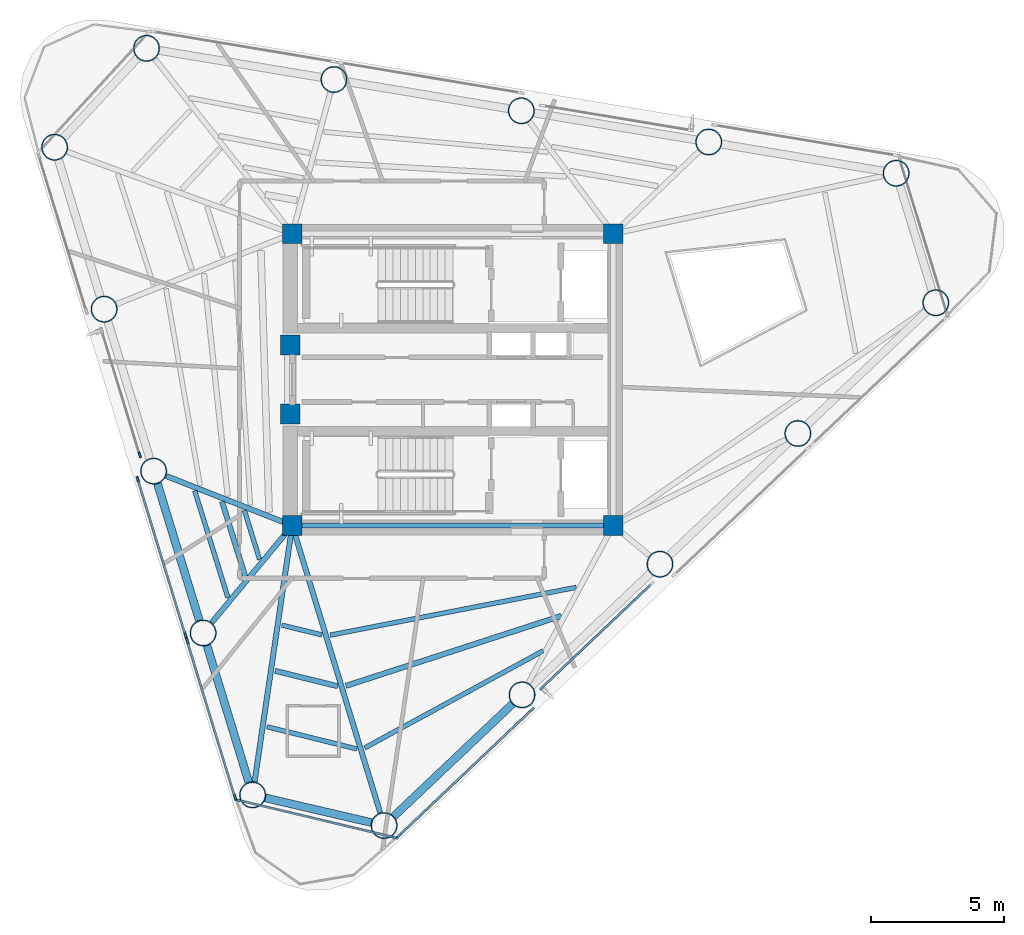
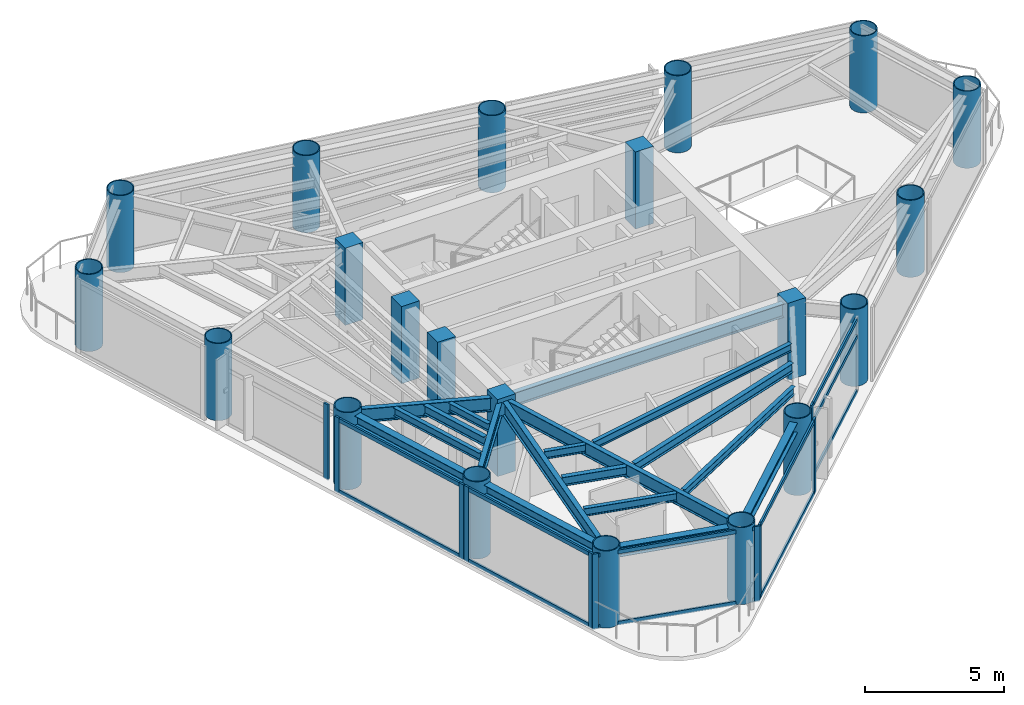
# One storey, part 1 of 8: 21 columns, 21 members, 18 beams, 6 elements without a shape of their own.
"""IFC4 building model written with IfcOpenShell, lengths in metres."""

from ifc_helpers import new_model, si_unit, direction, frame, origin, origin_2d, place, context, subcontext, project, spatial, rectangle, hollow_circle, i_section, extrude, source, transform, mapped, material, layer, layer_set, material_profile, profile_set, type_object, element, aggregate, save


model = new_model("IFC4")

# Units and contexts
model_context = context("Model", 3, precision=1e-05, world=origin(), true_north=direction((0.0, 1.0)))
body_context = subcontext(model_context, "Body", "Model", "MODEL_VIEW")
ifc_project = project(units=[si_unit("LENGTHUNIT", "METRE"), si_unit("AREAUNIT", "SQUARE_METRE"), si_unit("VOLUMEUNIT", "CUBIC_METRE"), si_unit("PLANEANGLEUNIT", "RADIAN"), si_unit("MASSUNIT", "GRAM", prefix="KILO")], contexts=[model_context])

# Site, building, storey
site_placement = place(None, origin())
site = spatial("IfcSite", under=ifc_project, at=site_placement, CompositionType="ELEMENT")
building_placement = place(site_placement, origin())
building = spatial("IfcBuilding", under=site, at=building_placement, Name="Yunling Apex Tower", CompositionType="ELEMENT")
storey_placement = place(building_placement, frame((0.0, 0.0, 235.449951171875)))
storey = spatial("IfcBuildingStorey", under=building, at=storey_placement, Name="L57", CompositionType="ELEMENT", Elevation=235.449951171875)

# Columns
ifc_material_1 = material(Name="Concrete C50", Category="concrete")
ifc_material_profile_1 = material_profile(ifc_material_1, rectangle(XDim=0.75, YDim=0.75, at=origin_2d()))
ifc_profile_set_1 = profile_set([ifc_material_profile_1], Name="Concrete C50")
column_type_1 = type_object("IfcColumnType", Name="PC-SRC-4", PredefinedType="COLUMN", material=ifc_profile_set_1)
shared_shape_1 = source(origin(), body_context, "Body", "SweptSolid", [
    extrude(rectangle(XDim=0.75, YDim=0.75, at=origin_2d()), origin(), (0.0, 0.0, 1.0), 3.400146484375),
])
for number, where, z_axis, x_axis, name in (
    (1, (-6.050048828125, -5.5, 0.0), (0.0, 0.0, 1.0), (1.0, 0.0, 0.0), "L57 Core Spine Column CC-SW"),
    (2, (6.050048828125, -5.5, 0.0), (0.0, 0.0, 1.0), (1.0, 0.0, 0.0), "L57 Core Spine Column CC-SE"),
    (3, (6.050048828125, 5.5, 0.0), (0.0, 0.0, 1.0), (1.0, 0.0, 0.0), "L57 Core Spine Column CC-NE"),
    (4, (-6.050048828125, 5.5, 0.0), (0.0, 0.0, 1.0), (1.0, 0.0, 0.0), "L57 Core Spine Column CC-NW"),
    (5, (-6.125, -1.300048828125, 0.0), (0.0, 0.0, 1.0), (1.0, 0.0, 0.0), "L57 Core West Portal Jamb Column S"),
    (6, (-6.125, 1.300048828125, 0.0), (0.0, 0.0, 1.0), (1.0, 0.0, 0.0), "L57 Core West Portal Jamb Column N"),
):
    element("IfcColumn", number, at=place(storey_placement, frame(where, z_axis=z_axis, x_axis=x_axis)), inside=storey, type_object=column_type_1, Name=name, PredefinedType="COLUMN", context=body_context, shape_type="MappedRepresentation", body=[
        mapped(shared_shape_1, transform((0.0, 0.0, 0.0), scale=1.0)),
    ])
ifc_material_2 = material(Name="Steel Q390GJC", Category="steel")
ifc_material_profile_2 = material_profile(ifc_material_2, hollow_circle(Radius=0.5, WallThickness=0.0400390625, at=origin_2d()))
ifc_profile_set_2 = profile_set([ifc_material_profile_2], Name="Steel Q390GJC")
column_type_2 = type_object("IfcColumnType", Name="MC-CFST-5", PredefinedType="COLUMN", material=ifc_profile_set_2)
shared_shape_2 = source(origin(), body_context, "Body", "SweptSolid", [
    extrude(hollow_circle(Radius=0.5, WallThickness=0.0400390625, at=origin_2d()), origin(), (0.0, 0.0, 1.0), 3.400146484375),
])
for number, where, z_axis, x_axis, name in (
    (7, (-2.58740234375, -16.807861328125, 0.0), (0.0, 0.0, 1.0), (1.0, 0.0, 0.0), "L57 Perimeter CFST Mega-Column P01"),
    (8, (2.61083984375, -11.8818359375, 0.0), (0.0, 0.0, 1.0), (1.0, 0.0, 0.0), "L57 Perimeter CFST Mega-Column P02"),
    (9, (7.80908203125, -6.9560546875, 0.0), (0.0, 0.0, 1.0), (1.0, 0.0, 0.0), "L57 Perimeter CFST Mega-Column P03"),
    (10, (13.007080078125, -2.030029296875, 0.0), (0.0, 0.0, 1.0), (1.0, 0.0, 0.0), "L57 Perimeter CFST Mega-Column P04"),
    (11, (18.205322265625, 2.89599609375, 0.0), (0.0, 0.0, 1.0), (1.0, 0.0, 0.0), "L57 Perimeter CFST Mega-Column P05"),
    (12, (16.712158203125, 7.779296875, 0.0), (0.0, 0.0, 1.0), (1.0, 0.0, 0.0), "L57 Perimeter CFST Mega-Column P06"),
    (13, (9.648193359375, 8.95654296875, 0.0), (0.0, 0.0, 1.0), (1.0, 0.0, 0.0), "L57 Perimeter CFST Mega-Column P07"),
    (14, (2.584228515625, 10.133544921875, 0.0), (0.0, 0.0, 1.0), (1.0, 0.0, 0.0), "L57 Perimeter CFST Mega-Column P08"),
    (15, (-4.479736328125, 11.310546875, 0.0), (0.0, 0.0, 1.0), (1.0, 0.0, 0.0), "L57 Perimeter CFST Mega-Column P09"),
    (16, (-11.543701171875, 12.487548828125, 0.0), (0.0, 0.0, 1.0), (1.0, 0.0, 0.0), "L57 Perimeter CFST Mega-Column P10"),
    (17, (-15.007568359375, 8.7587890625, 0.0), (0.0, 0.0, 1.0), (1.0, 0.0, 0.0), "L57 Perimeter CFST Mega-Column P11"),
    (18, (-13.1416015625, 2.65576171875, 0.0), (0.0, 0.0, 1.0), (1.0, 0.0, 0.0), "L57 Perimeter CFST Mega-Column P12"),
    (19, (-11.27587890625, -3.447509765625, 0.0), (0.0, 0.0, 1.0), (1.0, 0.0, 0.0), "L57 Perimeter CFST Mega-Column P13"),
    (20, (-9.409912109375, -9.55029296875, 0.0), (0.0, 0.0, 1.0), (1.0, 0.0, 0.0), "L57 Perimeter CFST Mega-Column P14"),
    (21, (-7.5439453125, -15.6533203125, 0.0), (0.0, 0.0, 1.0), (1.0, 0.0, 0.0), "L57 Perimeter CFST Mega-Column P15"),
):
    element("IfcColumn", number, at=place(storey_placement, frame(where, z_axis=z_axis, x_axis=x_axis)), inside=storey, type_object=column_type_2, Name=name, PredefinedType="COLUMN", context=body_context, shape_type="MappedRepresentation", body=[
        mapped(shared_shape_2, transform((0.0, 0.0, 0.0), scale=1.0)),
    ])

# Beams
ifc_material_3 = material(Name="Steel Q355B", Category="steel")
ifc_material_profile_3 = material_profile(ifc_material_3, i_section(OverallWidth=0.199951171875, OverallDepth=0.60009765625, WebThickness=0.010986328125, FlangeThickness=0.01708984375, FilletRadius=0.02197265625, at=origin_2d()))
ifc_profile_set_3 = profile_set([ifc_material_profile_3], Name="Steel Q355B")
beam_type_1 = type_object("IfcBeamType", Name="BG-PRI-5", PredefinedType="USERDEFINED", material=ifc_profile_set_3)
shared_shape_3 = source(origin(), body_context, "Body", "SweptSolid", [
    extrude(i_section(OverallWidth=0.199951171875, OverallDepth=0.60009765625, WebThickness=0.010986328125, FlangeThickness=0.01708984375, FilletRadius=0.02197265625, at=origin_2d()), origin(), (0.0, 0.0, 1.0), 11.7998046875),
])
beam_1_placement = place(storey_placement, frame((-5.89990234375, -5.5, 2.920166015625), z_axis=(1.0, 0.0, 0.0), x_axis=(0.0, 1.0, 0.0)))
element("IfcBeam", 22, at=beam_1_placement, inside=storey, type_object=beam_type_1, Name="L57 Core Ring Tie Beam 1", ObjectType="GIRDER", PredefinedType="USERDEFINED", context=body_context, shape_type="MappedRepresentation", body=[
    mapped(shared_shape_3, transform((0.0, 0.0, 0.0), scale=1.0)),
])
ifc_material_profile_4 = material_profile(ifc_material_3, i_section(OverallWidth=0.300048828125, OverallDepth=0.43994140625, WebThickness=0.010986328125, FlangeThickness=0.01806640625, FilletRadius=0.02197265625, at=origin_2d()))
ifc_profile_set_4 = profile_set([ifc_material_profile_4], Name="Steel Q355B")
beam_type_2 = type_object("IfcBeamType", Name="BP-SPN-3", PredefinedType="SPANDREL", material=ifc_profile_set_4)
shared_shape_4 = source(origin(), body_context, "Body", "SweptSolid", [
    extrude(i_section(OverallWidth=0.300048828125, OverallDepth=0.43994140625, WebThickness=0.010986328125, FlangeThickness=0.01806640625, FilletRadius=0.02197265625, at=origin_2d()), origin(), (0.0, 0.0, 1.0), 6.17333984375),
])
beam_2_placement = place(storey_placement, frame((-2.228759765625, -16.468017578125, 3.0), z_axis=(0.725853952128, 0.687848849807, 0.0), x_axis=(-0.687848849807, 0.725853952128, 0.0)))
element("IfcBeam", 23, at=beam_2_placement, inside=storey, type_object=beam_type_2, Name="L57 Perimeter Spandrel Beam 1", PredefinedType="SPANDREL", context=body_context, shape_type="MappedRepresentation", body=[
    mapped(shared_shape_4, transform((0.0, 0.0, 0.0), scale=1.0)),
])
shared_shape_5 = source(origin(), body_context, "Body", "SweptSolid", [
    extrude(i_section(OverallWidth=0.300048828125, OverallDepth=0.43994140625, WebThickness=0.010986328125, FlangeThickness=0.01806640625, FilletRadius=0.02197265625, at=origin_2d()), origin(), (0.0, 0.0, 1.0), 4.1015625),
])
beam_3_placement = place(storey_placement, frame((-7.06298828125, -15.765380859375, 3.0), z_axis=(0.973930702249, -0.226845734401, 0.0), x_axis=(0.226845734401, 0.973930702249, 0.0)))
element("IfcBeam", 24, at=beam_3_placement, inside=storey, type_object=beam_type_2, Name="L57 Perimeter Spandrel Beam 15", PredefinedType="SPANDREL", context=body_context, shape_type="MappedRepresentation", body=[
    mapped(shared_shape_5, transform((0.0, 0.0, 0.0), scale=1.0)),
])
shared_shape_6 = source(origin(), body_context, "Body", "SweptSolid", [
    extrude(i_section(OverallWidth=0.300048828125, OverallDepth=0.43994140625, WebThickness=0.010986328125, FlangeThickness=0.01806640625, FilletRadius=0.02197265625, at=origin_2d()), origin(), (0.0, 0.0, 1.0), 5.393798828125),
])
for number, where, z_axis, x_axis, name in (
    (25, (-11.13134765625, -3.919921875, 3.0), (0.292405975038, -0.956294277805, 0.0), (0.956294277805, 0.292405975038, 0.0), "L57 Perimeter Spandrel Beam 13"),
    (26, (-9.265380859375, -10.022705078125, 3.0), (0.292351925226, -0.956310802938, 0.0), (0.956310802938, 0.292351925226, 0.0), "L57 Perimeter Spandrel Beam 14"),
):
    element("IfcBeam", number, at=place(storey_placement, frame(where, z_axis=z_axis, x_axis=x_axis)), inside=storey, type_object=beam_type_2, Name=name, PredefinedType="SPANDREL", context=body_context, shape_type="MappedRepresentation", body=[
        mapped(shared_shape_6, transform((0.0, 0.0, 0.0), scale=1.0)),
    ])
shared_shape_7 = source(origin(), body_context, "Body", "SweptSolid", [
    extrude(i_section(OverallWidth=0.199951171875, OverallDepth=0.60009765625, WebThickness=0.010986328125, FlangeThickness=0.01708984375, FilletRadius=0.02197265625, at=origin_2d()), origin(), (0.0, 0.0, 1.0), 11.23828125),
])
beam_4_placement = place(storey_placement, frame((-2.736083984375, -16.322265625, 2.920166015625), z_axis=(-0.292794126511, 0.956175506631, 0.0), x_axis=(-0.956175506631, -0.292794126511, 0.0)))
element("IfcBeam", 27, at=beam_4_placement, inside=storey, type_object=beam_type_1, Name="L57 Radial Primary Girder R01", ObjectType="GIRDER", PredefinedType="USERDEFINED", context=body_context, shape_type="MappedRepresentation", body=[
    mapped(shared_shape_7, transform((0.0, 0.0, 0.0), scale=1.0)),
])
shared_shape_8 = source(origin(), body_context, "Body", "SweptSolid", [
    extrude(i_section(OverallWidth=0.199951171875, OverallDepth=0.60009765625, WebThickness=0.010986328125, FlangeThickness=0.01708984375, FilletRadius=0.02197265625, at=origin_2d()), origin(), (0.0, 0.0, 1.0), 5.0263671875),
])
beam_5_placement = place(storey_placement, frame((-10.802978515625, -3.633056640625, 2.920166015625), z_axis=(0.930773335483, -0.365596769617, 0.0), x_axis=(0.365596769617, 0.930773335483, 0.0)))
element("IfcBeam", 28, at=beam_5_placement, inside=storey, type_object=beam_type_1, Name="L57 Radial Primary Girder R13", ObjectType="GIRDER", PredefinedType="USERDEFINED", context=body_context, shape_type="MappedRepresentation", body=[
    mapped(shared_shape_8, transform((0.0, 0.0, 0.0), scale=1.0)),
])
shared_shape_9 = source(origin(), body_context, "Body", "SweptSolid", [
    extrude(i_section(OverallWidth=0.199951171875, OverallDepth=0.60009765625, WebThickness=0.010986328125, FlangeThickness=0.01708984375, FilletRadius=0.02197265625, at=origin_2d()), origin(), (0.0, 0.0, 1.0), 4.6748046875),
])
beam_6_placement = place(storey_placement, frame((-9.085693359375, -9.159423828125, 2.920166015625), z_axis=(0.63846190647, 0.769653424593, 0.0), x_axis=(-0.769653424593, 0.63846190647, 0.0)))
element("IfcBeam", 29, at=beam_6_placement, inside=storey, type_object=beam_type_1, Name="L57 Radial Primary Girder R14", ObjectType="GIRDER", PredefinedType="USERDEFINED", context=body_context, shape_type="MappedRepresentation", body=[
    mapped(shared_shape_9, transform((0.0, 0.0, 0.0), scale=1.0)),
])
shared_shape_10 = source(origin(), body_context, "Body", "SweptSolid", [
    extrude(i_section(OverallWidth=0.199951171875, OverallDepth=0.60009765625, WebThickness=0.010986328125, FlangeThickness=0.01708984375, FilletRadius=0.02197265625, at=origin_2d()), origin(), (0.0, 0.0, 1.0), 9.6748046875),
])
beam_7_placement = place(storey_placement, frame((-7.469970703125, -15.15087890625, 2.920166015625), z_axis=(0.145578261909, 0.989346738843, 0.0), x_axis=(-0.989346738843, 0.145578261909, 0.0)))
element("IfcBeam", 30, at=beam_7_placement, inside=storey, type_object=beam_type_1, Name="L57 Radial Primary Girder R15", ObjectType="GIRDER", PredefinedType="USERDEFINED", context=body_context, shape_type="MappedRepresentation", body=[
    mapped(shared_shape_10, transform((0.0, 0.0, 0.0), scale=1.0)),
])
ifc_material_profile_5 = material_profile(ifc_material_3, i_section(OverallWidth=0.199951171875, OverallDepth=0.39990234375, WebThickness=0.008056640625, FlangeThickness=0.012939453125, FilletRadius=0.01611328125, at=origin_2d()))
ifc_profile_set_5 = profile_set([ifc_material_profile_5], Name="Steel Q355B")
beam_type_3 = type_object("IfcBeamType", Name="BS-SEC-4", PredefinedType="BEAM", material=ifc_profile_set_5)
shared_shape_11 = source(origin(), body_context, "Body", "SweptSolid", [
    extrude(i_section(OverallWidth=0.199951171875, OverallDepth=0.39990234375, WebThickness=0.008056640625, FlangeThickness=0.012939453125, FilletRadius=0.01611328125, at=origin_2d()), origin(), (0.0, 0.0, 1.0), 8.540283203125),
])
beam_8_placement = place(storey_placement, frame((-4.03173828125, -11.544677734375, 3.02001953125), z_axis=(0.950990153104, 0.309221164702, 0.0), x_axis=(-0.309221164702, 0.950990153104, 0.0)))
element("IfcBeam", 31, at=beam_8_placement, inside=storey, type_object=beam_type_3, Name="L57 Composite Floor Beam BS-1", PredefinedType="BEAM", context=body_context, shape_type="MappedRepresentation", body=[
    mapped(shared_shape_11, transform((0.0, 0.0, 0.0), scale=1.0)),
])
ifc_material_profile_6 = material_profile(ifc_material_3, i_section(OverallWidth=0.175048828125, OverallDepth=0.35009765625, WebThickness=0.007080078125, FlangeThickness=0.010986328125, FilletRadius=0.013916015625, at=origin_2d()))
ifc_profile_set_6 = profile_set([ifc_material_profile_6], Name="Steel Q355B")
beam_type_4 = type_object("IfcBeamType", Name="BJ-JST-1", PredefinedType="JOIST", material=ifc_profile_set_6)
shared_shape_12 = source(origin(), body_context, "Body", "SweptSolid", [
    extrude(i_section(OverallWidth=0.175048828125, OverallDepth=0.35009765625, WebThickness=0.007080078125, FlangeThickness=0.010986328125, FilletRadius=0.013916015625, at=origin_2d()), origin(), (0.0, 0.0, 1.0), 7.657470703125),
])
beam_9_placement = place(storey_placement, frame((-3.3193359375, -13.881591796875, 3.045166015625), z_axis=(0.878333844235, 0.478047757104, 0.0), x_axis=(-0.478047757104, 0.878333844235, 0.0)))
element("IfcBeam", 32, at=beam_9_placement, inside=storey, type_object=beam_type_4, Name="L57 Composite Floor Joist BJ1-1", PredefinedType="JOIST", context=body_context, shape_type="MappedRepresentation", body=[
    mapped(shared_shape_12, transform((0.0, 0.0, 0.0), scale=1.0)),
])
shared_shape_13 = source(origin(), body_context, "Body", "SweptSolid", [
    extrude(i_section(OverallWidth=0.175048828125, OverallDepth=0.35009765625, WebThickness=0.007080078125, FlangeThickness=0.010986328125, FilletRadius=0.013916015625, at=origin_2d()), origin(), (0.0, 0.0, 1.0), 9.4462890625),
])
beam_10_placement = place(storey_placement, frame((-4.619140625, -9.62939453125, 3.045166015625), z_axis=(0.981676272709, 0.190556279353, 0.0), x_axis=(-0.190556279353, 0.981676272709, 0.0)))
element("IfcBeam", 33, at=beam_10_placement, inside=storey, type_object=beam_type_4, Name="L57 Composite Floor Joist BJ3-1", PredefinedType="JOIST", context=body_context, shape_type="MappedRepresentation", body=[
    mapped(shared_shape_13, transform((0.0, 0.0, 0.0), scale=1.0)),
])
shared_shape_14 = source(origin(), body_context, "Body", "SweptSolid", [
    extrude(i_section(OverallWidth=0.199951171875, OverallDepth=0.39990234375, WebThickness=0.008056640625, FlangeThickness=0.012939453125, FilletRadius=0.01611328125, at=origin_2d()), origin(), (0.0, 0.0, 1.0), 2.9619140625),
])
beam_11_placement = place(storey_placement, frame((-8.697021484375, -4.594482421875, 3.02001953125), z_axis=(0.296152913488, -0.955140540356, 0.0), x_axis=(0.955140540356, 0.296152913488, 0.0)))
element("IfcBeam", 34, at=beam_11_placement, inside=storey, type_object=beam_type_3, Name="L57 Composite Floor Beam BS-13", PredefinedType="BEAM", context=body_context, shape_type="MappedRepresentation", body=[
    mapped(shared_shape_14, transform((0.0, 0.0, 0.0), scale=1.0)),
])
shared_shape_15 = source(origin(), body_context, "Body", "SweptSolid", [
    extrude(i_section(OverallWidth=0.175048828125, OverallDepth=0.35009765625, WebThickness=0.007080078125, FlangeThickness=0.010986328125, FilletRadius=0.013916015625, at=origin_2d()), origin(), (0.0, 0.0, 1.0), 4.21435546875),
])
beam_12_placement = place(storey_placement, frame((-9.726318359375, -4.190185546875, 3.045166015625), z_axis=(0.296539510889, -0.955020585371, 0.0), x_axis=(0.955020585371, 0.296539510889, 0.0)))
element("IfcBeam", 35, at=beam_12_placement, inside=storey, type_object=beam_type_4, Name="L57 Composite Floor Joist BJ1-13", PredefinedType="JOIST", context=body_context, shape_type="MappedRepresentation", body=[
    mapped(shared_shape_15, transform((0.0, 0.0, 0.0), scale=1.0)),
])
shared_shape_16 = source(origin(), body_context, "Body", "SweptSolid", [
    extrude(i_section(OverallWidth=0.175048828125, OverallDepth=0.35009765625, WebThickness=0.007080078125, FlangeThickness=0.010986328125, FilletRadius=0.013916015625, at=origin_2d()), origin(), (0.0, 0.0, 1.0), 1.93701171875),
])
beam_13_placement = place(storey_placement, frame((-7.85498046875, -4.92529296875, 3.045166015625), z_axis=(0.295546803782, -0.955328261266, 0.0), x_axis=(0.955328261266, 0.295546803782, 0.0)))
element("IfcBeam", 36, at=beam_13_placement, inside=storey, type_object=beam_type_4, Name="L57 Composite Floor Joist BJ3-13", PredefinedType="JOIST", context=body_context, shape_type="MappedRepresentation", body=[
    mapped(shared_shape_16, transform((0.0, 0.0, 0.0), scale=1.0)),
])
shared_shape_17 = source(origin(), body_context, "Body", "SweptSolid", [
    extrude(i_section(OverallWidth=0.199951171875, OverallDepth=0.39990234375, WebThickness=0.008056640625, FlangeThickness=0.012939453125, FilletRadius=0.01611328125, at=origin_2d()), origin(), (0.0, 0.0, 1.0), 2.42578125),
])
beam_14_placement = place(storey_placement, frame((-6.69482421875, -10.977294921875, 3.02001953125), z_axis=(0.971134786196, -0.23853139634, 0.0), x_axis=(0.23853139634, 0.971134786196, 0.0)))
element("IfcBeam", 37, at=beam_14_placement, inside=storey, type_object=beam_type_3, Name="L57 Composite Floor Beam BS-15", PredefinedType="BEAM", context=body_context, shape_type="MappedRepresentation", body=[
    mapped(shared_shape_17, transform((0.0, 0.0, 0.0), scale=1.0)),
])
shared_shape_18 = source(origin(), body_context, "Body", "SweptSolid", [
    extrude(i_section(OverallWidth=0.175048828125, OverallDepth=0.35009765625, WebThickness=0.007080078125, FlangeThickness=0.010986328125, FilletRadius=0.013916015625, at=origin_2d()), origin(), (0.0, 0.0, 1.0), 3.4912109375),
])
beam_15_placement = place(storey_placement, frame((-7.0048828125, -13.08349609375, 3.045166015625), z_axis=(0.970878392095, -0.239572844376, 0.0), x_axis=(0.239572844376, 0.970878392095, 0.0)))
element("IfcBeam", 38, at=beam_15_placement, inside=storey, type_object=beam_type_4, Name="L57 Composite Floor Joist BJ1-15", PredefinedType="JOIST", context=body_context, shape_type="MappedRepresentation", body=[
    mapped(shared_shape_18, transform((0.0, 0.0, 0.0), scale=1.0)),
])
shared_shape_19 = source(origin(), body_context, "Body", "SweptSolid", [
    extrude(i_section(OverallWidth=0.175048828125, OverallDepth=0.35009765625, WebThickness=0.007080078125, FlangeThickness=0.010986328125, FilletRadius=0.013916015625, at=origin_2d()), origin(), (0.0, 0.0, 1.0), 1.553955078125),
])
beam_16_placement = place(storey_placement, frame((-6.44140625, -9.254150390625, 3.045166015625), z_axis=(0.971567073494, -0.23676448573, 0.0), x_axis=(0.23676448573, 0.971567073494, 0.0)))
element("IfcBeam", 39, at=beam_16_placement, inside=storey, type_object=beam_type_4, Name="L57 Composite Floor Joist BJ3-15", PredefinedType="JOIST", context=body_context, shape_type="MappedRepresentation", body=[
    mapped(shared_shape_19, transform((0.0, 0.0, 0.0), scale=1.0)),
])

# Curtain wall, members
ifc_material_4 = material(Name="Bronze anodised aluminium", Category="aluminium")
ifc_layer = layer(ifc_material_4, 0.219970703125)
ifc_layer_set = layer_set([ifc_layer], Name="Bronze anodised aluminium")
curtain_wall_type = type_object("IfcCurtainWallType", Name="CW-SYS-4", PredefinedType="NOTDEFINED", material=ifc_layer_set)
curtain_wall_1_placement = place(storey_placement, origin())
curtain_wall_1 = element("IfcCurtainWall", 40, at=curtain_wall_1_placement, inside=storey, type_object=curtain_wall_type, Name="CW-L57-F1-B2", PredefinedType="NOTDEFINED")
ifc_material_profile_7 = material_profile(ifc_material_4, rectangle(XDim=0.080078125, YDim=0.169921875, at=origin_2d()))
ifc_profile_set_7 = profile_set([ifc_material_profile_7], Name="Bronze anodised aluminium")
member_type_1 = type_object("IfcMemberType", Name="CW-TRN-4", PredefinedType="USERDEFINED", material=ifc_profile_set_7)
shared_shape_20 = source(origin(), body_context, "Body", "SweptSolid", [
    extrude(rectangle(XDim=0.080078125, YDim=0.169921875, at=origin_2d()), origin(), (0.0, 0.0, 1.0), 5.609619140625),
])
member_1_placement = place(storey_placement, frame((3.39404296875, -11.580322265625, 0.0400390625), z_axis=(0.725870335167, 0.687831561157, 0.0), x_axis=(-0.687831561157, 0.725870335167, 0.0)))
member_1 = element("IfcMember", 41, at=member_1_placement, type_object=member_type_1, Name="CW-SYS-4 transom 1.1", ObjectType="TRANSOM", PredefinedType="USERDEFINED", context=body_context, shape_type="MappedRepresentation", body=[
    mapped(shared_shape_20, transform((0.0, 0.0, 0.0), scale=1.0)),
])
member_2_placement = place(storey_placement, frame((3.39404296875, -11.580322265625, 2.447265625), z_axis=(0.725870335167, 0.687831561157, 0.0), x_axis=(-0.687831561157, 0.725870335167, 0.0)))
member_2 = element("IfcMember", 42, at=member_2_placement, type_object=member_type_1, Name="CW-SYS-4 transom 1.2", ObjectType="TRANSOM", PredefinedType="USERDEFINED", context=body_context, shape_type="MappedRepresentation", body=[
    mapped(shared_shape_20, transform((0.0, 0.0, 0.0), scale=1.0)),
])
member_3_placement = place(storey_placement, frame((3.39404296875, -11.580322265625, 3.179931640625), z_axis=(0.725870335167, 0.687831561157, 0.0), x_axis=(-0.687831561157, 0.725870335167, 0.0)))
member_3 = element("IfcMember", 43, at=member_3_placement, type_object=member_type_1, Name="CW-SYS-4 transom 1.3", ObjectType="TRANSOM", PredefinedType="USERDEFINED", context=body_context, shape_type="MappedRepresentation", body=[
    mapped(shared_shape_20, transform((0.0, 0.0, 0.0), scale=1.0)),
])

curtain_wall_2_placement = place(storey_placement, origin())
curtain_wall_2 = element("IfcCurtainWall", 44, at=curtain_wall_2_placement, inside=storey, type_object=curtain_wall_type, Name="CW-L57-F1-B1", PredefinedType="NOTDEFINED")
shared_shape_21 = source(origin(), body_context, "Body", "SweptSolid", [
    extrude(rectangle(XDim=0.080078125, YDim=0.169921875, at=origin_2d()), origin(), (0.0, 0.0, 1.0), 6.849365234375),
])
member_4_placement = place(storey_placement, frame((-2.02001953125, -17.1796875, 0.0400390625), z_axis=(0.725832781837, 0.687871189112, 0.0), x_axis=(-0.687871189112, 0.725832781837, 0.0)))
member_4 = element("IfcMember", 45, at=member_4_placement, type_object=member_type_1, Name="CW-SYS-4 transom 1.1", ObjectType="TRANSOM", PredefinedType="USERDEFINED", context=body_context, shape_type="MappedRepresentation", body=[
    mapped(shared_shape_21, transform((0.0, 0.0, 0.0), scale=1.0)),
])
member_5_placement = place(storey_placement, frame((-2.02001953125, -17.1796875, 3.179931640625), z_axis=(0.725832781837, 0.687871189112, 0.0), x_axis=(-0.687871189112, 0.725832781837, 0.0)))
member_5 = element("IfcMember", 46, at=member_5_placement, type_object=member_type_1, Name="CW-SYS-4 transom 1.2", ObjectType="TRANSOM", PredefinedType="USERDEFINED", context=body_context, shape_type="MappedRepresentation", body=[
    mapped(shared_shape_21, transform((0.0, 0.0, 0.0), scale=1.0)),
])

curtain_wall_3_placement = place(storey_placement, origin())
curtain_wall_3 = element("IfcCurtainWall", 47, at=curtain_wall_3_placement, inside=storey, type_object=curtain_wall_type, Name="CW-L57-F3-B3", PredefinedType="NOTDEFINED")
shared_shape_22 = source(origin(), body_context, "Body", "SweptSolid", [
    extrude(rectangle(XDim=0.080078125, YDim=0.169921875, at=origin_2d()), origin(), (0.0, 0.0, 1.0), 6.06982421875),
])
member_6_placement = place(storey_placement, frame((-11.861328125, -3.78955078125, 0.0400390625), z_axis=(0.292369766892, -0.956305348415, 0.0), x_axis=(0.956305348415, 0.292369766892, 0.0)))
member_6 = element("IfcMember", 48, at=member_6_placement, type_object=member_type_1, Name="CW-SYS-4 transom 1.1", ObjectType="TRANSOM", PredefinedType="USERDEFINED", context=body_context, shape_type="MappedRepresentation", body=[
    mapped(shared_shape_22, transform((0.0, 0.0, 0.0), scale=1.0)),
])
member_7_placement = place(storey_placement, frame((-11.861328125, -3.78955078125, 3.179931640625), z_axis=(0.292369766892, -0.956305348415, 0.0), x_axis=(0.956305348415, 0.292369766892, 0.0)))
member_7 = element("IfcMember", 49, at=member_7_placement, type_object=member_type_1, Name="CW-SYS-4 transom 1.2", ObjectType="TRANSOM", PredefinedType="USERDEFINED", context=body_context, shape_type="MappedRepresentation", body=[
    mapped(shared_shape_22, transform((0.0, 0.0, 0.0), scale=1.0)),
])

curtain_wall_4_placement = place(storey_placement, origin())
curtain_wall_4 = element("IfcCurtainWall", 50, at=curtain_wall_4_placement, inside=storey, type_object=curtain_wall_type, Name="CW-L57-F3-B4", PredefinedType="NOTDEFINED")
member_8_placement = place(storey_placement, frame((-9.995361328125, -9.892578125, 0.0400390625), z_axis=(0.292369766892, -0.956305348415, 0.0), x_axis=(0.956305348415, 0.292369766892, 0.0)))
member_8 = element("IfcMember", 51, at=member_8_placement, type_object=member_type_1, Name="CW-SYS-4 transom 1.1", ObjectType="TRANSOM", PredefinedType="USERDEFINED", context=body_context, shape_type="MappedRepresentation", body=[
    mapped(shared_shape_22, transform((0.0, 0.0, 0.0), scale=1.0)),
])
member_9_placement = place(storey_placement, frame((-9.995361328125, -9.892578125, 3.179931640625), z_axis=(0.292369766892, -0.956305348415, 0.0), x_axis=(0.956305348415, 0.292369766892, 0.0)))
member_9 = element("IfcMember", 52, at=member_9_placement, type_object=member_type_1, Name="CW-SYS-4 transom 1.2", ObjectType="TRANSOM", PredefinedType="USERDEFINED", context=body_context, shape_type="MappedRepresentation", body=[
    mapped(shared_shape_22, transform((0.0, 0.0, 0.0), scale=1.0)),
])

curtain_wall_5_placement = place(storey_placement, origin())
curtain_wall_5 = element("IfcCurtainWall", 53, at=curtain_wall_5_placement, inside=storey, type_object=curtain_wall_type, Name="CW-L57-CRN3", PredefinedType="NOTDEFINED")
shared_shape_23 = source(origin(), body_context, "Body", "SweptSolid", [
    extrude(rectangle(XDim=0.080078125, YDim=0.169921875, at=origin_2d()), origin(), (0.0, 0.0, 1.0), 6.02490234375),
])
member_10_placement = place(storey_placement, frame((-8.08203125, -15.858154296875, 0.0400390625), z_axis=(0.972757933043, -0.231823216485, 0.0), x_axis=(0.231823216485, 0.972757933043, 0.0)))
member_10 = element("IfcMember", 54, at=member_10_placement, type_object=member_type_1, Name="CW-SYS-4 transom 1.1", ObjectType="TRANSOM", PredefinedType="USERDEFINED", context=body_context, shape_type="MappedRepresentation", body=[
    mapped(shared_shape_23, transform((0.0, 0.0, 0.0), scale=1.0)),
])
member_11_placement = place(storey_placement, frame((-8.08203125, -15.858154296875, 3.179931640625), z_axis=(0.972757933043, -0.231823216485, 0.0), x_axis=(0.231823216485, 0.972757933043, 0.0)))
member_11 = element("IfcMember", 55, at=member_11_placement, type_object=member_type_1, Name="CW-SYS-4 transom 1.2", ObjectType="TRANSOM", PredefinedType="USERDEFINED", context=body_context, shape_type="MappedRepresentation", body=[
    mapped(shared_shape_23, transform((0.0, 0.0, 0.0), scale=1.0)),
])

# Member
ifc_material_profile_8 = material_profile(ifc_material_4, rectangle(XDim=0.080078125, YDim=0.219970703125, at=origin_2d()))
ifc_profile_set_8 = profile_set([ifc_material_profile_8], Name="Bronze anodised aluminium")
member_type_2 = type_object("IfcMemberType", Name="CW-MUL-4", PredefinedType="MULLION", material=ifc_profile_set_8)
shared_shape_24 = source(origin(), body_context, "Body", "SweptSolid", [
    extrude(rectangle(XDim=0.080078125, YDim=0.219970703125, at=origin_2d()), origin(), (0.0, 0.0, 1.0), 3.320068359375),
])
member_12_placement = place(storey_placement, frame((-2.04638671875, -17.204345703125, -0.050048828125), z_axis=(0.0, 0.0, 1.0), x_axis=(-0.687848040467, 0.72585471909, 0.0)))
member_12 = element("IfcMember", 56, at=member_12_placement, type_object=member_type_2, Name="CW-SYS-4 mullion 1", PredefinedType="MULLION", context=body_context, shape_type="MappedRepresentation", body=[
    mapped(shared_shape_24, transform((0.0, 0.0, 0.0), scale=1.0)),
])

member_13_placement = place(storey_placement, frame((2.977783203125, -12.443603515625, -0.050048828125), z_axis=(0.0, 0.0, 1.0), x_axis=(-0.687848040467, 0.72585471909, 0.0)))
member_13 = element("IfcMember", 57, at=member_13_placement, type_object=member_type_2, Name="CW-SYS-4 mullion 2", PredefinedType="MULLION", context=body_context, shape_type="MappedRepresentation", body=[
    mapped(shared_shape_24, transform((0.0, 0.0, 0.0), scale=1.0)),
])

aggregate(curtain_wall_2, [member_12, member_13, member_4, member_5])

member_14_placement = place(storey_placement, frame((3.367919921875, -11.605224609375, -0.050048828125), z_axis=(0.0, 0.0, 1.0), x_axis=(-0.687854406681, 0.725848686167, 0.0)))
member_14 = element("IfcMember", 58, at=member_14_placement, type_object=member_type_2, Name="CW-SYS-4 mullion 1", PredefinedType="MULLION", context=body_context, shape_type="MappedRepresentation", body=[
    mapped(shared_shape_24, transform((0.0, 0.0, 0.0), scale=1.0)),
])

aggregate(curtain_wall_1, [member_14, member_1, member_2, member_3])

# Curtain wall, member
curtain_wall_6_placement = place(storey_placement, origin())
curtain_wall_6 = element("IfcCurtainWall", 59, at=curtain_wall_6_placement, inside=storey, type_object=curtain_wall_type, Name="CW-L57-F3-B2", PredefinedType="NOTDEFINED")
member_15_placement = place(storey_placement, frame((-11.798095703125, -2.833251953125, -0.050048828125), z_axis=(0.0, 0.0, 1.0), x_axis=(0.956304345474, 0.29237304737, 0.0)))
member_15 = element("IfcMember", 60, at=member_15_placement, type_object=member_type_2, Name="CW-SYS-4 mullion 2", PredefinedType="MULLION", context=body_context, shape_type="MappedRepresentation", body=[
    mapped(shared_shape_24, transform((0.0, 0.0, 0.0), scale=1.0)),
])
aggregate(curtain_wall_6, [member_15])

# Member
member_16_placement = place(storey_placement, frame((-11.871826171875, -3.755126953125, -0.050048828125), z_axis=(0.0, 0.0, 1.0), x_axis=(0.956304646078, 0.29237206414, 0.0)))
member_16 = element("IfcMember", 61, at=member_16_placement, type_object=member_type_2, Name="CW-SYS-4 mullion 1", PredefinedType="MULLION", context=body_context, shape_type="MappedRepresentation", body=[
    mapped(shared_shape_24, transform((0.0, 0.0, 0.0), scale=1.0)),
])

member_17_placement = place(storey_placement, frame((-10.076171875, -9.628662109375, -0.050048828125), z_axis=(0.0, 0.0, 1.0), x_axis=(0.956304646078, 0.29237206414, 0.0)))
member_17 = element("IfcMember", 62, at=member_17_placement, type_object=member_type_2, Name="CW-SYS-4 mullion 2", PredefinedType="MULLION", context=body_context, shape_type="MappedRepresentation", body=[
    mapped(shared_shape_24, transform((0.0, 0.0, 0.0), scale=1.0)),
])

aggregate(curtain_wall_3, [member_16, member_17, member_6, member_7])

member_18_placement = place(storey_placement, frame((-10.005859375, -9.858154296875, -0.050048828125), z_axis=(0.0, 0.0, 1.0), x_axis=(0.956304646078, 0.29237206414, 0.0)))
member_18 = element("IfcMember", 63, at=member_18_placement, type_object=member_type_2, Name="CW-SYS-4 mullion 1", PredefinedType="MULLION", context=body_context, shape_type="MappedRepresentation", body=[
    mapped(shared_shape_24, transform((0.0, 0.0, 0.0), scale=1.0)),
])

member_19_placement = place(storey_placement, frame((-8.210205078125, -15.731689453125, -0.050048828125), z_axis=(0.0, 0.0, 1.0), x_axis=(0.956304646078, 0.29237206414, 0.0)))
member_19 = element("IfcMember", 64, at=member_19_placement, type_object=member_type_2, Name="CW-SYS-4 mullion 2", PredefinedType="MULLION", context=body_context, shape_type="MappedRepresentation", body=[
    mapped(shared_shape_24, transform((0.0, 0.0, 0.0), scale=1.0)),
])

aggregate(curtain_wall_4, [member_18, member_19, member_8, member_9])

member_20_placement = place(storey_placement, frame((-8.1171875, -15.849853515625, -0.050048828125), z_axis=(0.0, 0.0, 1.0), x_axis=(0.231809474992, 0.97276120775, 0.0)))
member_20 = element("IfcMember", 65, at=member_20_placement, type_object=member_type_2, Name="CW-SYS-4 mullion 1", PredefinedType="MULLION", context=body_context, shape_type="MappedRepresentation", body=[
    mapped(shared_shape_24, transform((0.0, 0.0, 0.0), scale=1.0)),
])

member_21_placement = place(storey_placement, frame((-2.18603515625, -17.26318359375, -0.050048828125), z_axis=(0.0, 0.0, 1.0), x_axis=(0.231809474992, 0.97276120775, 0.0)))
member_21 = element("IfcMember", 66, at=member_21_placement, type_object=member_type_2, Name="CW-SYS-4 mullion 2", PredefinedType="MULLION", context=body_context, shape_type="MappedRepresentation", body=[
    mapped(shared_shape_24, transform((0.0, 0.0, 0.0), scale=1.0)),
])

aggregate(curtain_wall_5, [member_20, member_21, member_10, member_11])

save(model, "model.ifc")
